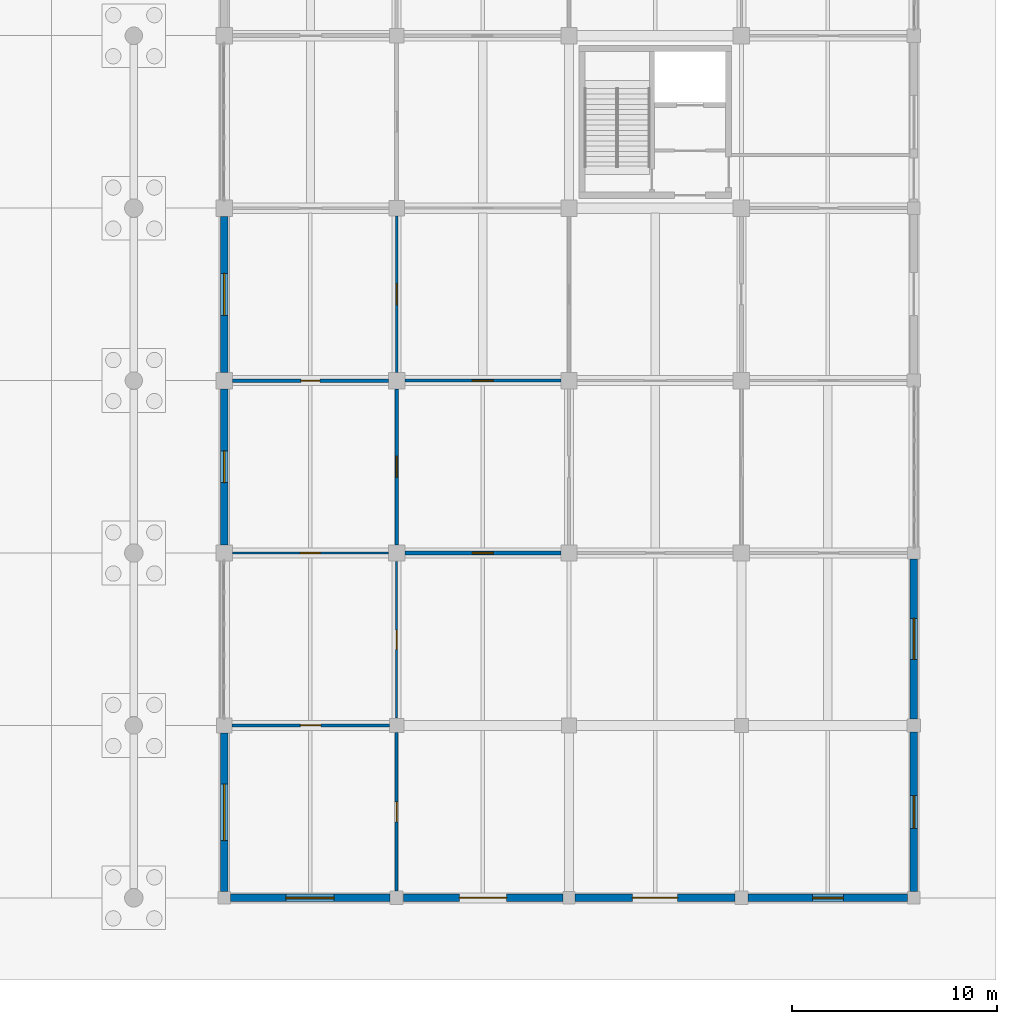
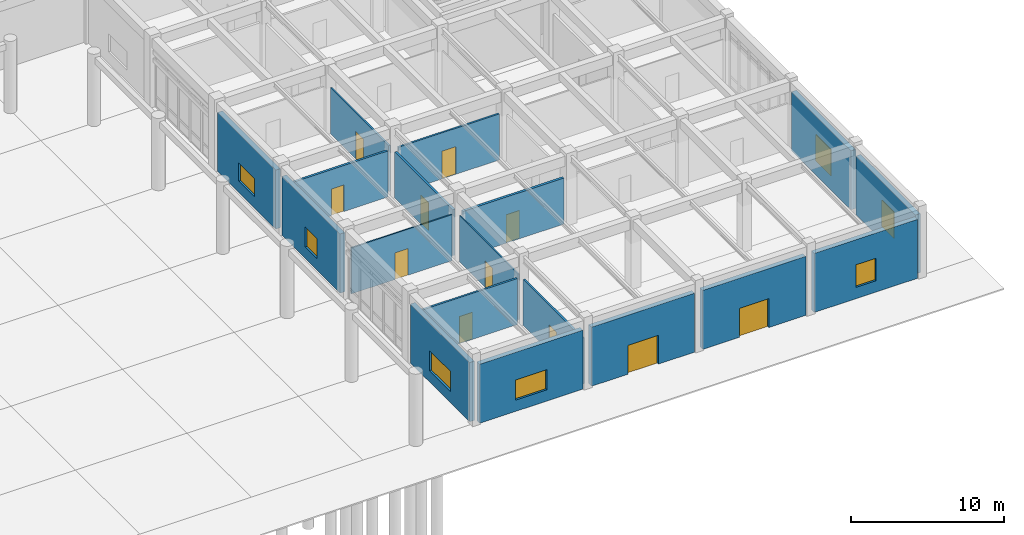
# One storey, part 77 of 91: 18 walls, 11 doors, 7 windows, 18 openings.
"""IFC4 building model written with IfcOpenShell, lengths in metres."""

from ifc_helpers import new_model, si_unit, direction, frame, frame_2d, origin, place, context, subcontext, project, spatial, rectangle, extrude, material, layer, layer_set, type_object, element, fill, save


model = new_model("IFC4")

# Units and contexts
model_context = context("Model", 3, precision=1e-05, world=origin(), true_north=direction((0.0, 1.0)))
body_context = subcontext(model_context, "Body", "Model", "MODEL_VIEW")
ifc_project = project(units=[si_unit("LENGTHUNIT", "METRE"), si_unit("AREAUNIT", "SQUARE_METRE"), si_unit("VOLUMEUNIT", "CUBIC_METRE"), si_unit("PLANEANGLEUNIT", "RADIAN"), si_unit("MASSUNIT", "GRAM", prefix="KILO")], contexts=[model_context])

# Site, building, storey
site_placement = place(None, origin())
site = spatial("IfcSite", under=ifc_project, at=site_placement, CompositionType="ELEMENT")
building_placement = place(site_placement, origin())
building = spatial("IfcBuilding", under=site, at=building_placement, Name="Porcellanite Civic Hall", CompositionType="ELEMENT")
storey_placement = place(building_placement, origin())
storey = spatial("IfcBuildingStorey", under=building, at=storey_placement, Name="L00", CompositionType="ELEMENT", Elevation=0.0)

# Wall, opening, window
ifc_material_1 = material(Name="Precast concrete N40 (40 MPa)", Category="concrete")
ifc_layer_1 = layer(ifc_material_1, 0.360107421875)
ifc_layer_set_1 = layer_set([ifc_layer_1], Name="Precast concrete N40 (40 MPa)")
wall_type_1 = type_object("IfcWallType", Name="EW-LIB360", PredefinedType="SOLIDWALL", material=ifc_layer_set_1)
wall_1_placement = place(storey_placement, frame((150.8740234375, 0.0, 0.0), z_axis=(0.0, 0.0, 1.0), x_axis=(-1.0, 0.0, 0.0)))
wall_1 = element("IfcWall", 1, at=wall_1_placement, inside=storey, type_object=wall_type_1, Name="Exterior wall L00 S 18-1", PredefinedType="SOLIDWALL", context=body_context, shape_type="SweptSolid", body=[
    extrude(rectangle(XDim=7.77294921875, YDim=0.360107421875, at=frame_2d((3.886474609375, 0.0))), origin(), (0.0, 0.0, 1.0), 4.699951171875),
])
opening_1_placement = place(wall_1_placement, frame((2.7119140625, 0.0, 0.89990234375)))
opening_1 = element("IfcOpeningElement", 2, at=opening_1_placement, cuts=wall_1, Name="Opening W36", PredefinedType="OPENING", context=body_context, shape_type="SweptSolid", body=[
    extrude(rectangle(XDim=2.35009765625, YDim=1.60009765625, at=frame_2d((1.175048828125, 0.800048828125))), frame((0.0, 0.18017578125, 0.0), z_axis=(0.0, -1.0, 0.0), x_axis=(1.0, 0.0, 0.0)), (0.0, 0.0, 1.0), 0.360107421875),
])
ifc_material_2 = material(Name="Cyclone laminated low-E glazing in anodised aluminium frame", Category="aluminium")
window_type_1 = type_object("IfcWindowType", Name="WN-36", PartitioningType="DOUBLE_PANEL_VERTICAL", PredefinedType="WINDOW", material=ifc_material_2)
window_1_placement = place(opening_1_placement, origin())
window_1 = element("IfcWindow", 3, at=window_1_placement, inside=storey, type_object=window_type_1, Name="Window W36 L00 S 18-1", OverallHeight=1.60009765625, OverallWidth=2.35009765625, PartitioningType="SINGLE_PANEL", PredefinedType="WINDOW", context=body_context, shape_type="SweptSolid", body=[
    extrude(rectangle(XDim=2.35009765625, YDim=1.60009765625, at=frame_2d((1.175048828125, 0.800048828125))), frame((0.0, 0.030029296875, 0.0), z_axis=(0.0, -1.0, 0.0), x_axis=(1.0, 0.0, 0.0)), (0.0, 0.0, 1.0), 0.06005859375),
])
fill(opening_1, window_1)

wall_2_placement = place(storey_placement, frame((142.800048828125, 0.301025390625, 0.0), z_axis=(0.0, 0.0, 1.0), x_axis=(0.0, 1.0, 0.0)))
wall_2 = element("IfcWall", 4, at=wall_2_placement, inside=storey, type_object=wall_type_1, Name="Exterior wall L00 W 18-1", PredefinedType="SOLIDWALL", context=body_context, shape_type="SweptSolid", body=[
    extrude(rectangle(XDim=7.722900390625, YDim=0.360107421875, at=frame_2d((3.861328125, 0.0))), origin(), (0.0, 0.0, 1.0), 4.699951171875),
])
opening_2_placement = place(wall_2_placement, frame((2.486083984375, 0.0, 0.89990234375)))
opening_2 = element("IfcOpeningElement", 5, at=opening_2_placement, cuts=wall_2, Name="Opening W37", PredefinedType="OPENING", context=body_context, shape_type="SweptSolid", body=[
    extrude(rectangle(XDim=2.75, YDim=1.60009765625, at=frame_2d((1.375, 0.800048828125))), frame((0.0, 0.18017578125, 0.0), z_axis=(0.0, -1.0, 0.0), x_axis=(1.0, 0.0, 0.0)), (0.0, 0.0, 1.0), 0.360107421875),
])
ifc_material_3 = material(Name="Cyclone laminated low-E glazing in anodised aluminium frame", Category="aluminium")
window_type_2 = type_object("IfcWindowType", Name="WN-37", PartitioningType="TRIPLE_PANEL_VERTICAL", PredefinedType="WINDOW", material=ifc_material_3)
window_2_placement = place(opening_2_placement, origin())
window_2 = element("IfcWindow", 6, at=window_2_placement, inside=storey, type_object=window_type_2, Name="Window W37 L00 W 18-1", OverallHeight=1.60009765625, OverallWidth=2.75, PartitioningType="SINGLE_PANEL", PredefinedType="WINDOW", context=body_context, shape_type="SweptSolid", body=[
    extrude(rectangle(XDim=2.75, YDim=1.60009765625, at=frame_2d((1.375, 0.800048828125))), frame((0.0, 0.030029296875, 0.0), z_axis=(0.0, -1.0, 0.0), x_axis=(1.0, 0.0, 0.0)), (0.0, 0.0, 1.0), 0.06005859375),
])
fill(opening_2, window_2)

wall_3_placement = place(storey_placement, frame((142.800048828125, 17.200927734375, 0.0), z_axis=(0.0, 0.0, 1.0), x_axis=(0.0, 1.0, 0.0)))
wall_3 = element("IfcWall", 7, at=wall_3_placement, inside=storey, type_object=wall_type_1, Name="Exterior wall L00 W 18-3", PredefinedType="SOLIDWALL", context=body_context, shape_type="SweptSolid", body=[
    extrude(rectangle(XDim=7.59814453125, YDim=0.360107421875, at=frame_2d((3.799072265625, 0.0))), origin(), (0.0, 0.0, 1.0), 4.699951171875),
])
opening_3_placement = place(wall_3_placement, frame((3.02392578125, 0.0, 0.89990234375)))
opening_3 = element("IfcOpeningElement", 8, at=opening_3_placement, cuts=wall_3, Name="Opening W38", PredefinedType="OPENING", context=body_context, shape_type="SweptSolid", body=[
    extrude(rectangle(XDim=1.550048828125, YDim=1.60009765625, at=frame_2d((0.77490234375, 0.800048828125))), frame((0.0, 0.18017578125, 0.0), z_axis=(0.0, -1.0, 0.0), x_axis=(1.0, 0.0, 0.0)), (0.0, 0.0, 1.0), 0.360107421875),
])
ifc_material_4 = material(Name="Cyclone laminated low-E glazing in anodised aluminium frame", Category="aluminium")
window_type_3 = type_object("IfcWindowType", Name="WN-38", PartitioningType="SINGLE_PANEL", PredefinedType="WINDOW", material=ifc_material_4)
window_3_placement = place(opening_3_placement, origin())
window_3 = element("IfcWindow", 9, at=window_3_placement, inside=storey, type_object=window_type_3, Name="Window W38 L00 W 18-3", OverallHeight=1.60009765625, OverallWidth=1.550048828125, PartitioningType="SINGLE_PANEL", PredefinedType="WINDOW", context=body_context, shape_type="SweptSolid", body=[
    extrude(rectangle(XDim=1.550048828125, YDim=1.60009765625, at=frame_2d((0.77490234375, 0.800048828125))), frame((0.0, 0.030029296875, 0.0), z_axis=(0.0, -1.0, 0.0), x_axis=(1.0, 0.0, 0.0)), (0.0, 0.0, 1.0), 0.06005859375),
])
fill(opening_3, window_3)

wall_4_placement = place(storey_placement, frame((142.800048828125, 25.60107421875, 0.0), z_axis=(0.0, 0.0, 1.0), x_axis=(0.0, 1.0, 0.0)))
wall_4 = element("IfcWall", 10, at=wall_4_placement, inside=storey, type_object=wall_type_1, Name="Exterior wall L00 W 18-4", PredefinedType="SOLIDWALL", context=body_context, shape_type="SweptSolid", body=[
    extrude(rectangle(XDim=7.597900390625, YDim=0.360107421875, at=frame_2d((3.798828125, 0.0))), origin(), (0.0, 0.0, 1.0), 4.699951171875),
])
opening_4_placement = place(wall_4_placement, frame((2.77392578125, 0.0, 0.89990234375)))
opening_4 = element("IfcOpeningElement", 11, at=opening_4_placement, cuts=wall_4, Name="Opening W39", PredefinedType="OPENING", context=body_context, shape_type="SweptSolid", body=[
    extrude(rectangle(XDim=2.050048828125, YDim=1.449951171875, at=frame_2d((1.02490234375, 0.72509765625))), frame((0.0, 0.18017578125, 0.0), z_axis=(0.0, -1.0, 0.0), x_axis=(1.0, 0.0, 0.0)), (0.0, 0.0, 1.0), 0.360107421875),
])
ifc_material_5 = material(Name="Cyclone laminated low-E glazing in anodised aluminium frame", Category="aluminium")
window_type_4 = type_object("IfcWindowType", Name="WN-39", PartitioningType="DOUBLE_PANEL_VERTICAL", PredefinedType="WINDOW", material=ifc_material_5)
window_4_placement = place(opening_4_placement, origin())
window_4 = element("IfcWindow", 12, at=window_4_placement, inside=storey, type_object=window_type_4, Name="Window W39 L00 W 18-4", OverallHeight=1.449951171875, OverallWidth=2.050048828125, PartitioningType="SINGLE_PANEL", PredefinedType="WINDOW", context=body_context, shape_type="SweptSolid", body=[
    extrude(rectangle(XDim=2.050048828125, YDim=1.449951171875, at=frame_2d((1.02490234375, 0.72509765625))), frame((0.0, 0.030029296875, 0.0), z_axis=(0.0, -1.0, 0.0), x_axis=(1.0, 0.0, 0.0)), (0.0, 0.0, 1.0), 0.06005859375),
])
fill(opening_4, window_4)

# Wall, opening, door
wall_5_placement = place(storey_placement, frame((159.299072265625, 0.0, 0.0), z_axis=(0.0, 0.0, 1.0), x_axis=(-1.0, 0.0, 0.0)))
wall_5 = element("IfcWall", 13, at=wall_5_placement, inside=storey, type_object=wall_type_1, Name="Exterior wall L00 S 19-1", PredefinedType="SOLIDWALL", context=body_context, shape_type="SweptSolid", body=[
    extrude(rectangle(XDim=7.773193359375, YDim=0.360107421875, at=frame_2d((3.88671875, 0.0))), origin(), (0.0, 0.0, 1.0), 4.699951171875),
])
opening_5_placement = place(wall_5_placement, frame((2.736083984375, 0.0, 0.0)))
opening_5 = element("IfcOpeningElement", 14, at=opening_5_placement, cuts=wall_5, Name="Opening ED-12", PredefinedType="OPENING", context=body_context, shape_type="SweptSolid", body=[
    extrude(rectangle(XDim=2.300048828125, YDim=2.300048828125, at=frame_2d((1.14990234375, 1.14990234375))), frame((0.0, 0.18017578125, 0.0), z_axis=(0.0, -1.0, 0.0), x_axis=(1.0, 0.0, 0.0)), (0.0, 0.0, 1.0), 0.360107421875),
])
ifc_material_6 = material(Name="Anodised aluminium and laminated safety glass", Category="aluminium")
door_type_1 = type_object("IfcDoorType", Name="DR-EXIT210", OperationType="DOUBLE_DOOR_SINGLE_SWING", PredefinedType="DOOR", material=ifc_material_6)
door_1_placement = place(opening_5_placement, origin())
door_1 = element("IfcDoor", 15, at=door_1_placement, inside=storey, type_object=door_type_1, Name="Pedestrian final exit door ED-12", OperationType="DOUBLE_DOOR_SINGLE_SWING", OverallHeight=2.300048828125, OverallWidth=2.300048828125, PredefinedType="DOOR", context=body_context, shape_type="SweptSolid", body=[
    extrude(rectangle(XDim=2.300048828125, YDim=2.300048828125, at=frame_2d((1.14990234375, 1.14990234375))), frame((0.0, 0.02490234375, 0.0), z_axis=(0.0, -1.0, 0.0), x_axis=(1.0, 0.0, 0.0)), (0.0, 0.0, 1.0), 0.050048828125),
])
fill(opening_5, door_1)

wall_6_placement = place(storey_placement, frame((167.674072265625, 0.0, 0.0), z_axis=(0.0, 0.0, 1.0), x_axis=(-1.0, 0.0, 0.0)))
wall_6 = element("IfcWall", 16, at=wall_6_placement, inside=storey, type_object=wall_type_1, Name="Exterior wall L00 S 20-1", PredefinedType="SOLIDWALL", context=body_context, shape_type="SweptSolid", body=[
    extrude(rectangle(XDim=7.773193359375, YDim=0.360107421875, at=frame_2d((3.88671875, 0.0))), origin(), (0.0, 0.0, 1.0), 4.699951171875),
])
opening_6_placement = place(wall_6_placement, frame((2.785888671875, 0.0, 0.0)))
opening_6 = element("IfcOpeningElement", 17, at=opening_6_placement, cuts=wall_6, Name="Opening ED-13", PredefinedType="OPENING", context=body_context, shape_type="SweptSolid", body=[
    extrude(rectangle(XDim=2.199951171875, YDim=2.300048828125, at=frame_2d((1.10009765625, 1.14990234375))), frame((0.0, 0.18017578125, 0.0), z_axis=(0.0, -1.0, 0.0), x_axis=(1.0, 0.0, 0.0)), (0.0, 0.0, 1.0), 0.360107421875),
])
ifc_material_7 = material(Name="Anodised aluminium and laminated safety glass", Category="aluminium")
door_type_2 = type_object("IfcDoorType", Name="DR-EXIT200", OperationType="DOUBLE_DOOR_SINGLE_SWING", PredefinedType="DOOR", material=ifc_material_7)
door_2_placement = place(opening_6_placement, origin())
door_2 = element("IfcDoor", 18, at=door_2_placement, inside=storey, type_object=door_type_2, Name="Pedestrian final exit door ED-13", OperationType="DOUBLE_DOOR_SINGLE_SWING", OverallHeight=2.300048828125, OverallWidth=2.199951171875, PredefinedType="DOOR", context=body_context, shape_type="SweptSolid", body=[
    extrude(rectangle(XDim=2.199951171875, YDim=2.300048828125, at=frame_2d((1.10009765625, 1.14990234375))), frame((0.0, 0.02490234375, 0.0), z_axis=(0.0, -1.0, 0.0), x_axis=(1.0, 0.0, 0.0)), (0.0, 0.0, 1.0), 0.050048828125),
])
fill(opening_6, door_2)

# Wall, opening, window
wall_7_placement = place(storey_placement, frame((176.09912109375, 0.0, 0.0), z_axis=(0.0, 0.0, 1.0), x_axis=(-1.0, 0.0, 0.0)))
wall_7 = element("IfcWall", 19, at=wall_7_placement, inside=storey, type_object=wall_type_1, Name="Exterior wall L00 S 21-1", PredefinedType="SOLIDWALL", context=body_context, shape_type="SweptSolid", body=[
    extrude(rectangle(XDim=7.773193359375, YDim=0.360107421875, at=frame_2d((3.88671875, 0.0))), origin(), (0.0, 0.0, 1.0), 4.699951171875),
])
opening_7_placement = place(wall_7_placement, frame((3.135986328125, 0.0, 0.89990234375)))
opening_7 = element("IfcOpeningElement", 20, at=opening_7_placement, cuts=wall_7, Name="Opening W04", PredefinedType="OPENING", context=body_context, shape_type="SweptSolid", body=[
    extrude(rectangle(XDim=1.5, YDim=1.800048828125, at=frame_2d((0.75, 0.89990234375))), frame((0.0, 0.18017578125, 0.0), z_axis=(0.0, -1.0, 0.0), x_axis=(1.0, 0.0, 0.0)), (0.0, 0.0, 1.0), 0.360107421875),
])
ifc_material_8 = material(Name="Cyclone laminated low-E glazing in anodised aluminium frame", Category="aluminium")
window_type_5 = type_object("IfcWindowType", Name="WN-04", PartitioningType="SINGLE_PANEL", PredefinedType="WINDOW", material=ifc_material_8)
window_5_placement = place(opening_7_placement, origin())
window_5 = element("IfcWindow", 21, at=window_5_placement, inside=storey, type_object=window_type_5, Name="Window W04 L00 S 21-1", OverallHeight=1.800048828125, OverallWidth=1.5, PartitioningType="SINGLE_PANEL", PredefinedType="WINDOW", context=body_context, shape_type="SweptSolid", body=[
    extrude(rectangle(XDim=1.5, YDim=1.800048828125, at=frame_2d((0.75, 0.89990234375))), frame((0.0, 0.030029296875, 0.0), z_axis=(0.0, -1.0, 0.0), x_axis=(1.0, 0.0, 0.0)), (0.0, 0.0, 1.0), 0.06005859375),
])
fill(opening_7, window_5)

wall_8_placement = place(storey_placement, frame((176.39990234375, 8.073974609375, 0.0), z_axis=(0.0, 0.0, 1.0), x_axis=(0.0, -1.0, 0.0)))
wall_8 = element("IfcWall", 22, at=wall_8_placement, inside=storey, type_object=wall_type_1, Name="Exterior wall L00 E 21-1", PredefinedType="SOLIDWALL", context=body_context, shape_type="SweptSolid", body=[
    extrude(rectangle(XDim=7.77294921875, YDim=0.360107421875, at=frame_2d((3.886474609375, 0.0))), origin(), (0.0, 0.0, 1.0), 4.699951171875),
])
opening_8_placement = place(wall_8_placement, frame((3.0869140625, 0.0, 0.89990234375)))
opening_8 = element("IfcOpeningElement", 23, at=opening_8_placement, cuts=wall_8, Name="Opening W05", PredefinedType="OPENING", context=body_context, shape_type="SweptSolid", body=[
    extrude(rectangle(XDim=1.60009765625, YDim=2.10009765625, at=frame_2d((0.800048828125, 1.050048828125))), frame((0.0, 0.18017578125, 0.0), z_axis=(0.0, -1.0, 0.0), x_axis=(1.0, 0.0, 0.0)), (0.0, 0.0, 1.0), 0.360107421875),
])
ifc_material_9 = material(Name="Cyclone laminated low-E glazing in anodised aluminium frame", Category="aluminium")
window_type_6 = type_object("IfcWindowType", Name="WN-05", PartitioningType="DOUBLE_PANEL_VERTICAL", PredefinedType="WINDOW", material=ifc_material_9)
window_6_placement = place(opening_8_placement, origin())
window_6 = element("IfcWindow", 24, at=window_6_placement, inside=storey, type_object=window_type_6, Name="Window W05 L00 E 21-1", OverallHeight=2.10009765625, OverallWidth=1.60009765625, PartitioningType="SINGLE_PANEL", PredefinedType="WINDOW", context=body_context, shape_type="SweptSolid", body=[
    extrude(rectangle(XDim=1.60009765625, YDim=2.10009765625, at=frame_2d((0.800048828125, 1.050048828125))), frame((0.0, 0.030029296875, 0.0), z_axis=(0.0, -1.0, 0.0), x_axis=(1.0, 0.0, 0.0)), (0.0, 0.0, 1.0), 0.06005859375),
])
fill(opening_8, window_6)

wall_9_placement = place(storey_placement, frame((176.39990234375, 16.4990234375, 0.0), z_axis=(0.0, 0.0, 1.0), x_axis=(0.0, -1.0, 0.0)))
wall_9 = element("IfcWall", 25, at=wall_9_placement, inside=storey, type_object=wall_type_1, Name="Exterior wall L00 E 21-2", PredefinedType="SOLIDWALL", context=body_context, shape_type="SweptSolid", body=[
    extrude(rectangle(XDim=7.77294921875, YDim=0.360107421875, at=frame_2d((3.886474609375, 0.0))), origin(), (0.0, 0.0, 1.0), 4.699951171875),
])
opening_9_placement = place(wall_9_placement, frame((2.885986328125, 0.0, 0.89990234375)))
opening_9 = element("IfcOpeningElement", 26, at=opening_9_placement, cuts=wall_9, Name="Opening W06", PredefinedType="OPENING", context=body_context, shape_type="SweptSolid", body=[
    extrude(rectangle(XDim=2.0, YDim=2.10009765625, at=frame_2d((1.0, 1.050048828125))), frame((0.0, 0.18017578125, 0.0), z_axis=(0.0, -1.0, 0.0), x_axis=(1.0, 0.0, 0.0)), (0.0, 0.0, 1.0), 0.360107421875),
])
ifc_material_10 = material(Name="Cyclone laminated low-E glazing in anodised aluminium frame", Category="aluminium")
window_type_7 = type_object("IfcWindowType", Name="WN-06", PartitioningType="DOUBLE_PANEL_VERTICAL", PredefinedType="WINDOW", material=ifc_material_10)
window_7_placement = place(opening_9_placement, origin())
window_7 = element("IfcWindow", 27, at=window_7_placement, inside=storey, type_object=window_type_7, Name="Window W06 L00 E 21-2", OverallHeight=2.10009765625, OverallWidth=2.0, PartitioningType="SINGLE_PANEL", PredefinedType="WINDOW", context=body_context, shape_type="SweptSolid", body=[
    extrude(rectangle(XDim=2.0, YDim=2.10009765625, at=frame_2d((1.0, 1.050048828125))), frame((0.0, 0.030029296875, 0.0), z_axis=(0.0, -1.0, 0.0), x_axis=(1.0, 0.0, 0.0)), (0.0, 0.0, 1.0), 0.06005859375),
])
fill(opening_9, window_7)

# Wall, opening, door
ifc_material_11 = material(Name="Insulated acoustic plasterboard on light-gauge steel studs", Category="steel")
ifc_layer_2 = layer(ifc_material_11, 0.10498046875)
ifc_layer_set_2 = layer_set([ifc_layer_2], Name="Insulated acoustic plasterboard on light-gauge steel studs")
wall_type_2 = type_object("IfcWallType", Name="IW-PT105", PredefinedType="PARTITIONING", material=ifc_layer_set_2)
wall_10_placement = place(storey_placement, frame((143.201904296875, 16.800048828125, 0.0), z_axis=(0.0, 0.0, 1.0), x_axis=(1.0, 0.0, 0.0)))
wall_10 = element("IfcWall", 28, at=wall_10_placement, inside=storey, type_object=wall_type_2, Name="Partition L00 H 18-2", PredefinedType="PARTITIONING", context=body_context, shape_type="SweptSolid", body=[
    extrude(rectangle(XDim=7.59619140625, YDim=0.10498046875, at=frame_2d((3.798095703125, 0.0))), origin(), (0.0, 0.0, 1.0), 3.659912109375),
])
opening_10_placement = place(wall_10_placement, frame((3.31298828125, 0.0, 0.0)))
opening_10 = element("IfcOpeningElement", 29, at=opening_10_placement, cuts=wall_10, Name="Opening D-L00-102", PredefinedType="OPENING", context=body_context, shape_type="SweptSolid", body=[
    extrude(rectangle(XDim=0.969970703125, YDim=2.1201171875, at=frame_2d((0.48486328125, 1.06005859375))), frame((0.0, 0.052490234375, 0.0), z_axis=(0.0, -1.0, 0.0), x_axis=(1.0, 0.0, 0.0)), (0.0, 0.0, 1.0), 0.10498046875),
])
ifc_material_12 = material(Name="Solid-core spotted-gum timber", Category="wood")
door_type_3 = type_object("IfcDoorType", Name="DR-RM097", OperationType="NOTDEFINED", PredefinedType="DOOR", material=ifc_material_12)
door_3_placement = place(opening_10_placement, origin())
door_3 = element("IfcDoor", 30, at=door_3_placement, inside=storey, type_object=door_type_3, Name="Interior door D-L00-102", OperationType="SINGLE_SWING_LEFT", OverallHeight=2.1201171875, OverallWidth=0.969970703125, PredefinedType="DOOR", context=body_context, shape_type="SweptSolid", body=[
    extrude(rectangle(XDim=0.969970703125, YDim=2.1201171875, at=frame_2d((0.48486328125, 1.06005859375))), frame((0.0, 0.02490234375, 0.0), z_axis=(0.0, -1.0, 0.0), x_axis=(1.0, 0.0, 0.0)), (0.0, 0.0, 1.0), 0.050048828125),
])
fill(opening_10, door_3)

wall_11_placement = place(storey_placement, frame((151.199951171875, 8.751953125, 0.0), z_axis=(0.0, 0.0, 1.0), x_axis=(0.0, 1.0, 0.0)))
wall_11 = element("IfcWall", 31, at=wall_11_placement, inside=storey, type_object=wall_type_2, Name="Partition L00 V 18-2", PredefinedType="PARTITIONING", context=body_context, shape_type="SweptSolid", body=[
    extrude(rectangle(XDim=7.64599609375, YDim=0.10498046875, at=frame_2d((3.822998046875, 0.0))), origin(), (0.0, 0.0, 1.0), 3.659912109375),
])
opening_11_placement = place(wall_11_placement, frame((3.35791015625, 0.0, 0.0)))
opening_11 = element("IfcOpeningElement", 32, at=opening_11_placement, cuts=wall_11, Name="Opening D-L00-129", PredefinedType="OPENING", context=body_context, shape_type="SweptSolid", body=[
    extrude(rectangle(XDim=0.929931640625, YDim=2.1201171875, at=frame_2d((0.46484375, 1.06005859375))), frame((0.0, 0.052490234375, 0.0), z_axis=(0.0, -1.0, 0.0), x_axis=(1.0, 0.0, 0.0)), (0.0, 0.0, 1.0), 0.10498046875),
])
ifc_material_13 = material(Name="Solid-core spotted-gum timber", Category="wood")
door_type_4 = type_object("IfcDoorType", Name="DR-RM093", OperationType="NOTDEFINED", PredefinedType="DOOR", material=ifc_material_13)
door_4_placement = place(opening_11_placement, origin())
door_4 = element("IfcDoor", 33, at=door_4_placement, inside=storey, type_object=door_type_4, Name="Interior door D-L00-129", OperationType="SINGLE_SWING_LEFT", OverallHeight=2.1201171875, OverallWidth=0.929931640625, PredefinedType="DOOR", context=body_context, shape_type="SweptSolid", body=[
    extrude(rectangle(XDim=0.929931640625, YDim=2.1201171875, at=frame_2d((0.46484375, 1.06005859375))), frame((0.0, 0.02490234375, 0.0), z_axis=(0.0, -1.0, 0.0), x_axis=(1.0, 0.0, 0.0)), (0.0, 0.0, 1.0), 0.050048828125),
])
fill(opening_11, door_4)

ifc_material_14 = material(Name="Insulated acoustic plasterboard on light-gauge steel studs", Category="steel")
ifc_layer_3 = layer(ifc_material_14, 0.125)
ifc_layer_set_3 = layer_set([ifc_layer_3], Name="Insulated acoustic plasterboard on light-gauge steel studs")
wall_type_3 = type_object("IfcWallType", Name="IW-PT125", PredefinedType="PARTITIONING", material=ifc_layer_set_3)
wall_12_placement = place(storey_placement, frame((151.199951171875, 25.60205078125, 0.0), z_axis=(0.0, 0.0, 1.0), x_axis=(0.0, 1.0, 0.0)))
wall_12 = element("IfcWall", 34, at=wall_12_placement, inside=storey, type_object=wall_type_3, Name="Partition L00 V 18-4", PredefinedType="PARTITIONING", context=body_context, shape_type="SweptSolid", body=[
    extrude(rectangle(XDim=7.620849609375, YDim=0.125, at=frame_2d((3.810546875, 0.0))), origin(), (0.0, 0.0, 1.0), 3.659912109375),
])
opening_12_placement = place(wall_12_placement, frame((3.301025390625, 0.0, 0.0)))
opening_12 = element("IfcOpeningElement", 35, at=opening_12_placement, cuts=wall_12, Name="Opening D-L00-159", PredefinedType="OPENING", context=body_context, shape_type="SweptSolid", body=[
    extrude(rectangle(XDim=1.02001953125, YDim=2.199951171875, at=frame_2d((0.510009765625, 1.10009765625))), frame((0.0, 0.0625, 0.0), z_axis=(0.0, -1.0, 0.0), x_axis=(1.0, 0.0, 0.0)), (0.0, 0.0, 1.0), 0.125),
])
ifc_material_15 = material(Name="Solid-core spotted-gum timber", Category="wood")
door_type_5 = type_object("IfcDoorType", Name="DR-RM102", OperationType="NOTDEFINED", PredefinedType="DOOR", material=ifc_material_15)
door_5_placement = place(opening_12_placement, origin())
door_5 = element("IfcDoor", 36, at=door_5_placement, inside=storey, type_object=door_type_5, Name="Interior door D-L00-159", OperationType="SINGLE_SWING_LEFT", OverallHeight=2.199951171875, OverallWidth=1.02001953125, PredefinedType="DOOR", context=body_context, shape_type="SweptSolid", body=[
    extrude(rectangle(XDim=1.02001953125, YDim=2.199951171875, at=frame_2d((0.510009765625, 1.10009765625))), frame((0.0, 0.02490234375, 0.0), z_axis=(0.0, -1.0, 0.0), x_axis=(1.0, 0.0, 0.0)), (0.0, 0.0, 1.0), 0.050048828125),
])
fill(opening_12, door_5)

ifc_material_16 = material(Name="Insulated acoustic plasterboard on light-gauge steel studs", Category="steel")
ifc_layer_4 = layer(ifc_material_16, 0.14501953125)
ifc_layer_set_4 = layer_set([ifc_layer_4], Name="Insulated acoustic plasterboard on light-gauge steel studs")
wall_type_4 = type_object("IfcWallType", Name="IW-PT145", PredefinedType="PARTITIONING", material=ifc_layer_set_4)
wall_13_placement = place(storey_placement, frame((151.60205078125, 25.199951171875, 0.0), z_axis=(0.0, 0.0, 1.0), x_axis=(1.0, 0.0, 0.0)))
wall_13 = element("IfcWall", 37, at=wall_13_placement, inside=storey, type_object=wall_type_4, Name="Partition L00 H 19-3", PredefinedType="PARTITIONING", context=body_context, shape_type="SweptSolid", body=[
    extrude(rectangle(XDim=7.595947265625, YDim=0.14501953125, at=frame_2d((3.7978515625, 0.0))), origin(), (0.0, 0.0, 1.0), 3.659912109375),
])
opening_13_placement = place(wall_13_placement, frame((3.278076171875, 0.0, 0.0)))
opening_13 = element("IfcOpeningElement", 38, at=opening_13_placement, cuts=wall_13, Name="Opening D-L00-145", PredefinedType="OPENING", context=body_context, shape_type="SweptSolid", body=[
    extrude(rectangle(XDim=1.0400390625, YDim=2.199951171875, at=frame_2d((0.52001953125, 1.10009765625))), frame((0.0, 0.072509765625, 0.0), z_axis=(0.0, -1.0, 0.0), x_axis=(1.0, 0.0, 0.0)), (0.0, 0.0, 1.0), 0.14501953125),
])
ifc_material_17 = material(Name="Solid-core spotted-gum timber", Category="wood")
door_type_6 = type_object("IfcDoorType", Name="DR-RM104", OperationType="NOTDEFINED", PredefinedType="DOOR", material=ifc_material_17)
door_6_placement = place(opening_13_placement, origin())
door_6 = element("IfcDoor", 39, at=door_6_placement, inside=storey, type_object=door_type_6, Name="Interior door D-L00-145", OperationType="SINGLE_SWING_LEFT", OverallHeight=2.199951171875, OverallWidth=1.0400390625, PredefinedType="DOOR", context=body_context, shape_type="SweptSolid", body=[
    extrude(rectangle(XDim=1.0400390625, YDim=2.199951171875, at=frame_2d((0.52001953125, 1.10009765625))), frame((0.0, 0.02490234375, 0.0), z_axis=(0.0, -1.0, 0.0), x_axis=(1.0, 0.0, 0.0)), (0.0, 0.0, 1.0), 0.050048828125),
])
fill(opening_13, door_6)

ifc_material_18 = material(Name="Insulated acoustic plasterboard on light-gauge steel studs", Category="steel")
ifc_layer_5 = layer(ifc_material_18, 0.155029296875)
ifc_layer_set_5 = layer_set([ifc_layer_5], Name="Insulated acoustic plasterboard on light-gauge steel studs")
wall_type_5 = type_object("IfcWallType", Name="IW-PT155", PredefinedType="PARTITIONING", material=ifc_layer_set_5)
wall_14_placement = place(storey_placement, frame((143.177001953125, 8.39990234375, 0.0), z_axis=(0.0, 0.0, 1.0), x_axis=(1.0, 0.0, 0.0)))
wall_14 = element("IfcWall", 40, at=wall_14_placement, inside=storey, type_object=wall_type_5, Name="Partition L00 H 18-1", PredefinedType="PARTITIONING", context=body_context, shape_type="SweptSolid", body=[
    extrude(rectangle(XDim=7.6708984375, YDim=0.155029296875, at=frame_2d((3.83544921875, 0.0))), origin(), (0.0, 0.0, 1.0), 3.659912109375),
])
opening_14_placement = place(wall_14_placement, frame((3.3310546875, 0.0, 0.0)))
opening_14 = element("IfcOpeningElement", 41, at=opening_14_placement, cuts=wall_14, Name="Opening D-L00-101", PredefinedType="OPENING", context=body_context, shape_type="SweptSolid", body=[
    extrude(rectangle(XDim=1.010009765625, YDim=2.1201171875, at=frame_2d((0.5048828125, 1.06005859375))), frame((0.0, 0.07763671875, 0.0), z_axis=(0.0, -1.0, 0.0), x_axis=(1.0, 0.0, 0.0)), (0.0, 0.0, 1.0), 0.155029296875),
])
ifc_material_19 = material(Name="Solid-core spotted-gum timber", Category="wood")
door_type_7 = type_object("IfcDoorType", Name="DR-RM101", OperationType="NOTDEFINED", PredefinedType="DOOR", material=ifc_material_19)
door_7_placement = place(opening_14_placement, origin())
door_7 = element("IfcDoor", 42, at=door_7_placement, inside=storey, type_object=door_type_7, Name="Interior door D-L00-101", OperationType="SINGLE_SWING_RIGHT", OverallHeight=2.1201171875, OverallWidth=1.010009765625, PredefinedType="DOOR", context=body_context, shape_type="SweptSolid", body=[
    extrude(rectangle(XDim=1.010009765625, YDim=2.1201171875, at=frame_2d((0.5048828125, 1.06005859375))), frame((0.0, 0.02490234375, 0.0), z_axis=(0.0, -1.0, 0.0), x_axis=(1.0, 0.0, 0.0)), (0.0, 0.0, 1.0), 0.050048828125),
])
fill(opening_14, door_7)

wall_15_placement = place(storey_placement, frame((151.199951171875, 0.326904296875, 0.0), z_axis=(0.0, 0.0, 1.0), x_axis=(0.0, 1.0, 0.0)))
wall_15 = element("IfcWall", 43, at=wall_15_placement, inside=storey, type_object=wall_type_5, Name="Partition L00 V 18-1", PredefinedType="PARTITIONING", context=body_context, shape_type="SweptSolid", body=[
    extrude(rectangle(XDim=7.72119140625, YDim=0.155029296875, at=frame_2d((3.860595703125, 0.0))), origin(), (0.0, 0.0, 1.0), 3.659912109375),
])
opening_15_placement = place(wall_15_placement, frame((3.3759765625, 0.0, 0.0)))
opening_15 = element("IfcOpeningElement", 44, at=opening_15_placement, cuts=wall_15, Name="Opening D-L00-128", PredefinedType="OPENING", context=body_context, shape_type="SweptSolid", body=[
    extrude(rectangle(XDim=0.969970703125, YDim=2.1201171875, at=frame_2d((0.48486328125, 1.06005859375))), frame((0.0, 0.07763671875, 0.0), z_axis=(0.0, -1.0, 0.0), x_axis=(1.0, 0.0, 0.0)), (0.0, 0.0, 1.0), 0.155029296875),
])
door_8_placement = place(opening_15_placement, origin())
door_8 = element("IfcDoor", 45, at=door_8_placement, inside=storey, type_object=door_type_3, Name="Interior door D-L00-128", OperationType="SINGLE_SWING_RIGHT", OverallHeight=2.1201171875, OverallWidth=0.969970703125, PredefinedType="DOOR", context=body_context, shape_type="SweptSolid", body=[
    extrude(rectangle(XDim=0.969970703125, YDim=2.1201171875, at=frame_2d((0.48486328125, 1.06005859375))), frame((0.0, 0.02490234375, 0.0), z_axis=(0.0, -1.0, 0.0), x_axis=(1.0, 0.0, 0.0)), (0.0, 0.0, 1.0), 0.050048828125),
])
fill(opening_15, door_8)

ifc_material_20 = material(Name="Insulated acoustic plasterboard on light-gauge steel studs", Category="steel")
ifc_layer_6 = layer(ifc_material_20, 0.175048828125)
ifc_layer_set_6 = layer_set([ifc_layer_6], Name="Insulated acoustic plasterboard on light-gauge steel studs")
wall_type_6 = type_object("IfcWallType", Name="IW-PT175", PredefinedType="PARTITIONING", material=ifc_layer_set_6)
wall_16_placement = place(storey_placement, frame((143.201904296875, 25.199951171875, 0.0), z_axis=(0.0, 0.0, 1.0), x_axis=(1.0, 0.0, 0.0)))
wall_16 = element("IfcWall", 46, at=wall_16_placement, inside=storey, type_object=wall_type_6, Name="Partition L00 H 18-3", PredefinedType="PARTITIONING", context=body_context, shape_type="SweptSolid", body=[
    extrude(rectangle(XDim=7.59619140625, YDim=0.175048828125, at=frame_2d((3.798095703125, 0.0))), origin(), (0.0, 0.0, 1.0), 3.659912109375),
])
opening_16_placement = place(wall_16_placement, frame((3.3330078125, 0.0, 0.0)))
opening_16 = element("IfcOpeningElement", 47, at=opening_16_placement, cuts=wall_16, Name="Opening D-L00-103", PredefinedType="OPENING", context=body_context, shape_type="SweptSolid", body=[
    extrude(rectangle(XDim=0.929931640625, YDim=2.1201171875, at=frame_2d((0.46484375, 1.06005859375))), frame((0.0, 0.08740234375, 0.0), z_axis=(0.0, -1.0, 0.0), x_axis=(1.0, 0.0, 0.0)), (0.0, 0.0, 1.0), 0.175048828125),
])
door_9_placement = place(opening_16_placement, origin())
door_9 = element("IfcDoor", 48, at=door_9_placement, inside=storey, type_object=door_type_4, Name="Interior door D-L00-103", OperationType="SINGLE_SWING_RIGHT", OverallHeight=2.1201171875, OverallWidth=0.929931640625, PredefinedType="DOOR", context=body_context, shape_type="SweptSolid", body=[
    extrude(rectangle(XDim=0.929931640625, YDim=2.1201171875, at=frame_2d((0.46484375, 1.06005859375))), frame((0.0, 0.02490234375, 0.0), z_axis=(0.0, -1.0, 0.0), x_axis=(1.0, 0.0, 0.0)), (0.0, 0.0, 1.0), 0.050048828125),
])
fill(opening_16, door_9)

wall_17_placement = place(storey_placement, frame((151.199951171875, 17.201904296875, 0.0), z_axis=(0.0, 0.0, 1.0), x_axis=(0.0, 1.0, 0.0)))
wall_17 = element("IfcWall", 49, at=wall_17_placement, inside=storey, type_object=wall_type_6, Name="Partition L00 V 18-3", PredefinedType="PARTITIONING", context=body_context, shape_type="SweptSolid", body=[
    extrude(rectangle(XDim=7.59619140625, YDim=0.175048828125, at=frame_2d((3.798095703125, 0.0))), origin(), (0.0, 0.0, 1.0), 3.659912109375),
])
opening_17_placement = place(wall_17_placement, frame((3.278076171875, 0.0, 0.0)))
opening_17 = element("IfcOpeningElement", 50, at=opening_17_placement, cuts=wall_17, Name="Opening D-L00-158", PredefinedType="OPENING", context=body_context, shape_type="SweptSolid", body=[
    extrude(rectangle(XDim=1.0400390625, YDim=2.199951171875, at=frame_2d((0.52001953125, 1.10009765625))), frame((0.0, 0.08740234375, 0.0), z_axis=(0.0, -1.0, 0.0), x_axis=(1.0, 0.0, 0.0)), (0.0, 0.0, 1.0), 0.175048828125),
])
door_10_placement = place(opening_17_placement, origin())
door_10 = element("IfcDoor", 51, at=door_10_placement, inside=storey, type_object=door_type_6, Name="Interior door D-L00-158", OperationType="SINGLE_SWING_RIGHT", OverallHeight=2.199951171875, OverallWidth=1.0400390625, PredefinedType="DOOR", context=body_context, shape_type="SweptSolid", body=[
    extrude(rectangle(XDim=1.0400390625, YDim=2.199951171875, at=frame_2d((0.52001953125, 1.10009765625))), frame((0.0, 0.02490234375, 0.0), z_axis=(0.0, -1.0, 0.0), x_axis=(1.0, 0.0, 0.0)), (0.0, 0.0, 1.0), 0.050048828125),
])
fill(opening_17, door_10)

ifc_material_21 = material(Name="Insulated acoustic plasterboard on light-gauge steel studs", Category="steel")
ifc_layer_7 = layer(ifc_material_21, 0.195068359375)
ifc_layer_set_7 = layer_set([ifc_layer_7], Name="Insulated acoustic plasterboard on light-gauge steel studs")
wall_type_7 = type_object("IfcWallType", Name="IW-PT195", PredefinedType="PARTITIONING", material=ifc_layer_set_7)
wall_18_placement = place(storey_placement, frame((151.60205078125, 16.800048828125, 0.0), z_axis=(0.0, 0.0, 1.0), x_axis=(1.0, 0.0, 0.0)))
wall_18 = element("IfcWall", 52, at=wall_18_placement, inside=storey, type_object=wall_type_7, Name="Partition L00 H 19-2", PredefinedType="PARTITIONING", context=body_context, shape_type="SweptSolid", body=[
    extrude(rectangle(XDim=7.595947265625, YDim=0.195068359375, at=frame_2d((3.7978515625, 0.0))), origin(), (0.0, 0.0, 1.0), 3.659912109375),
])
opening_18_placement = place(wall_18_placement, frame((3.2880859375, 0.0, 0.0)))
opening_18 = element("IfcOpeningElement", 53, at=opening_18_placement, cuts=wall_18, Name="Opening D-L00-107", PredefinedType="OPENING", context=body_context, shape_type="SweptSolid", body=[
    extrude(rectangle(XDim=1.02001953125, YDim=2.199951171875, at=frame_2d((0.510009765625, 1.10009765625))), frame((0.0, 0.09765625, 0.0), z_axis=(0.0, -1.0, 0.0), x_axis=(1.0, 0.0, 0.0)), (0.0, 0.0, 1.0), 0.195068359375),
])
door_11_placement = place(opening_18_placement, origin())
door_11 = element("IfcDoor", 54, at=door_11_placement, inside=storey, type_object=door_type_5, Name="Interior door D-L00-107", OperationType="SINGLE_SWING_RIGHT", OverallHeight=2.199951171875, OverallWidth=1.02001953125, PredefinedType="DOOR", context=body_context, shape_type="SweptSolid", body=[
    extrude(rectangle(XDim=1.02001953125, YDim=2.199951171875, at=frame_2d((0.510009765625, 1.10009765625))), frame((0.0, 0.02490234375, 0.0), z_axis=(0.0, -1.0, 0.0), x_axis=(1.0, 0.0, 0.0)), (0.0, 0.0, 1.0), 0.050048828125),
])
fill(opening_18, door_11)

save(model, "model.ifc")
